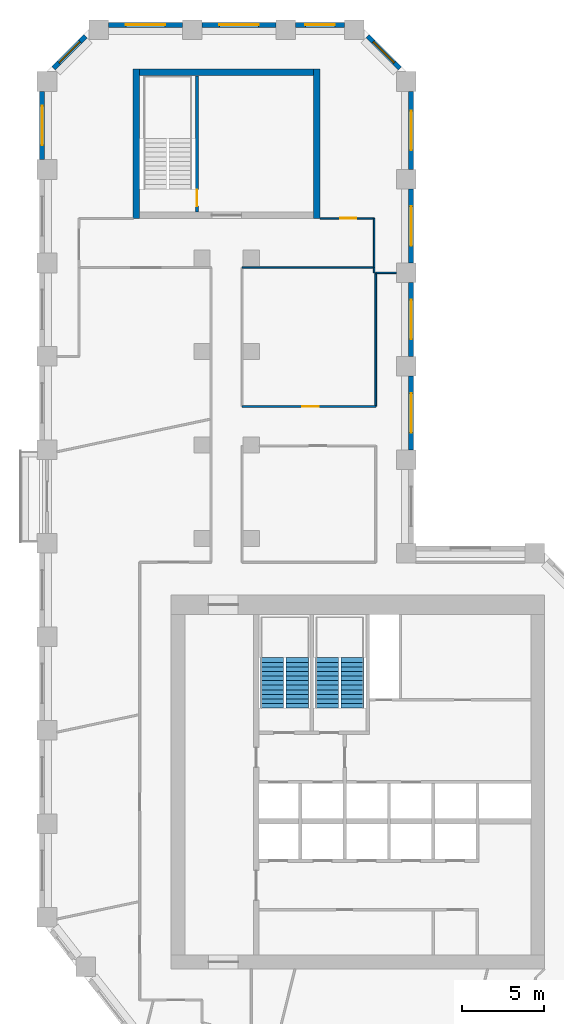
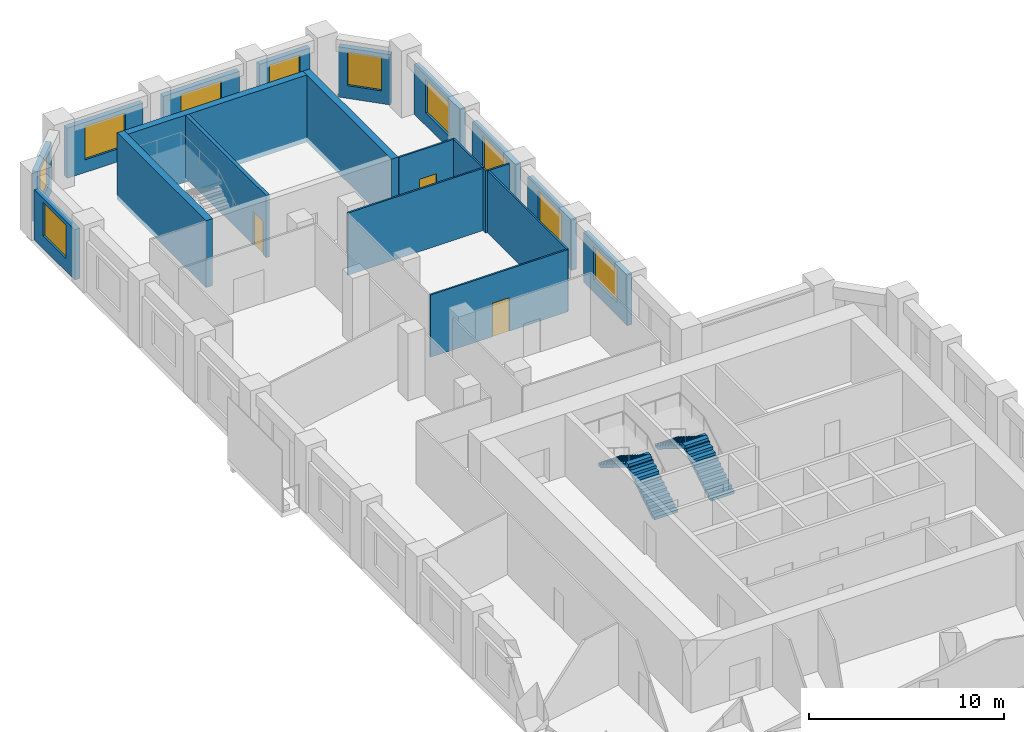
# One storey, part 8 of 10: 21 walls, 10 windows, 4 stair flights, 3 doors, 13 openings, 2 elements without a shape of their own.
"""IFC4 building model written with IfcOpenShell, lengths in metres."""

from ifc_helpers import new_model, si_unit, direction, frame, frame_2d, origin, place, context, subcontext, project, spatial, polyline, rectangle, outline, extrude, material, layer, layer_set, type_object, element, fill, aggregate, save


model = new_model("IFC4")

# Units and contexts
model_context = context("Model", 3, precision=1e-05, world=origin(), true_north=direction((0.0, 1.0)))
body_context = subcontext(model_context, "Body", "Model", "MODEL_VIEW")
ifc_project = project(units=[si_unit("LENGTHUNIT", "METRE"), si_unit("AREAUNIT", "SQUARE_METRE"), si_unit("VOLUMEUNIT", "CUBIC_METRE"), si_unit("PLANEANGLEUNIT", "RADIAN"), si_unit("MASSUNIT", "GRAM", prefix="KILO")], contexts=[model_context])

# Site, building, storey
site_placement = place(None, origin())
site = spatial("IfcSite", under=ifc_project, at=site_placement, CompositionType="ELEMENT")
building_placement = place(site_placement, origin())
building = spatial("IfcBuilding", under=site, at=building_placement, Name="Meshkara Civic Tower", CompositionType="ELEMENT")
storey_placement = place(building_placement, frame((0.0, 0.0, 174.0)))
storey = spatial("IfcBuildingStorey", under=building, at=storey_placement, Name="L39", CompositionType="ELEMENT", Elevation=174.0)

# Walls
ifc_material_1 = material(Name="Corridor wall 100")
ifc_layer_1 = layer(ifc_material_1, 0.10009765625)
ifc_layer_set_1 = layer_set([ifc_layer_1], Name="Corridor wall 100")
wall_type_1 = type_object("IfcWallType", Name="Corridor wall 100", PredefinedType="PARTITIONING", material=ifc_layer_set_1)
wall_1_placement = place(storey_placement, frame((12.35009765625, 56.8701171875, 0.0), z_axis=(0.0, 0.0, 1.0), x_axis=(1.0, 0.0, 0.0)))
element("IfcWall", 1, at=wall_1_placement, inside=storey, type_object=wall_type_1, Name="L39-W015", PredefinedType="PARTITIONING", context=body_context, shape_type="SweptSolid", body=[
    extrude(rectangle(XDim=8.0498046875, YDim=0.10009765625, at=frame_2d((4.02490234375, 0.0))), origin(), (0.0, 0.0, 1.0), 3.89990234375),
])
wall_2_placement = place(storey_placement, frame((20.39990234375, 56.8701171875, 0.0), z_axis=(0.0, 0.0, 1.0), x_axis=(0.0, 1.0, 0.0)))
element("IfcWall", 2, at=wall_2_placement, inside=storey, type_object=wall_type_1, Name="L39-W018", PredefinedType="PARTITIONING", context=body_context, shape_type="SweptSolid", body=[
    extrude(rectangle(XDim=3.0, YDim=0.10009765625, at=frame_2d((1.5, 0.0))), origin(), (0.0, 0.0, 1.0), 3.89990234375),
])

# Wall, opening, door
wall_3_placement = place(storey_placement, frame((20.39990234375, 59.8701171875, 0.0), z_axis=(0.0, 0.0, 1.0), x_axis=(-1.0, 0.0, 0.0)))
wall_3 = element("IfcWall", 3, at=wall_3_placement, inside=storey, type_object=wall_type_1, Name="L39-W019", PredefinedType="PARTITIONING", context=body_context, shape_type="SweptSolid", body=[
    extrude(rectangle(XDim=3.2998046875, YDim=0.10009765625, at=frame_2d((1.64990234375, 0.0))), origin(), (0.0, 0.0, 1.0), 3.89990234375),
])
opening_1_placement = place(wall_3_placement, frame((1.080078125, 0.0, 0.0)))
opening_1 = element("IfcOpeningElement", 4, at=opening_1_placement, cuts=wall_3, Name="Opening L39-D022", PredefinedType="OPENING", context=body_context, shape_type="SweptSolid", body=[
    extrude(rectangle(XDim=1.0, YDim=2.10009765625, at=frame_2d((0.5, 1.050048828125))), frame((0.0, 0.06005859375, 0.0), z_axis=(0.0, -1.0, 0.0), x_axis=(1.0, 0.0, 0.0)), (0.0, 0.0, 1.0), 0.1201171875),
])
ifc_material_2 = material(Name="Door 1000 x 2100")
door_type_1 = type_object("IfcDoorType", Name="Door 1000 x 2100", OperationType="SINGLE_SWING_LEFT", PredefinedType="DOOR", material=ifc_material_2)
door_1_placement = place(opening_1_placement, origin())
door_1 = element("IfcDoor", 5, at=door_1_placement, inside=storey, type_object=door_type_1, Name="L39-D022", OperationType="SINGLE_SWING_RIGHT", OverallHeight=2.10009765625, OverallWidth=1.0, PredefinedType="DOOR", context=body_context, shape_type="SweptSolid", body=[
    extrude(rectangle(XDim=1.0, YDim=2.10009765625, at=frame_2d((0.5, 1.050048828125))), frame((0.0, 0.02490234375, 0.0), z_axis=(0.0, -1.0, 0.0), x_axis=(1.0, 0.0, 0.0)), (0.0, 0.0, 1.0), 0.050048828125),
])
fill(opening_1, door_1)

wall_4_placement = place(storey_placement, frame((20.5, 48.39990234375, 0.0), z_axis=(0.0, 0.0, 1.0), x_axis=(-1.0, 0.0, 0.0)))
wall_4 = element("IfcWall", 6, at=wall_4_placement, inside=storey, type_object=wall_type_1, Name="L39-W022", PredefinedType="PARTITIONING", context=body_context, shape_type="SweptSolid", body=[
    extrude(rectangle(XDim=8.14990234375, YDim=0.10009765625, at=frame_2d((4.074951171875, 0.0))), origin(), (0.0, 0.0, 1.0), 3.89990234375),
])
opening_2_placement = place(wall_4_placement, frame((3.47998046875, 0.0, 0.0)))
opening_2 = element("IfcOpeningElement", 7, at=opening_2_placement, cuts=wall_4, Name="Opening L39-D019", PredefinedType="OPENING", context=body_context, shape_type="SweptSolid", body=[
    extrude(rectangle(XDim=1.0, YDim=2.10009765625, at=frame_2d((0.5, 1.050048828125))), frame((0.0, 0.06005859375, 0.0), z_axis=(0.0, -1.0, 0.0), x_axis=(1.0, 0.0, 0.0)), (0.0, 0.0, 1.0), 0.1201171875),
])
door_2_placement = place(opening_2_placement, origin())
door_2 = element("IfcDoor", 8, at=door_2_placement, inside=storey, type_object=door_type_1, Name="L39-D019", OperationType="SINGLE_SWING_RIGHT", OverallHeight=2.10009765625, OverallWidth=1.0, PredefinedType="DOOR", context=body_context, shape_type="SweptSolid", body=[
    extrude(rectangle(XDim=1.0, YDim=2.10009765625, at=frame_2d((0.5, 1.050048828125))), frame((0.0, 0.02490234375, 0.0), z_axis=(0.0, -1.0, 0.0), x_axis=(1.0, 0.0, 0.0)), (0.0, 0.0, 1.0), 0.050048828125),
])
fill(opening_2, door_2)

# Walls
wall_5_placement = place(storey_placement, frame((20.5, 56.550048828125, 0.0), z_axis=(0.0, 0.0, 1.0), x_axis=(0.0, -1.0, 0.0)))
element("IfcWall", 9, at=wall_5_placement, inside=storey, type_object=wall_type_1, Name="L39-W023", PredefinedType="PARTITIONING", context=body_context, shape_type="SweptSolid", body=[
    extrude(rectangle(XDim=8.150146484375, YDim=0.10009765625, at=frame_2d((4.0751953125, 0.0))), origin(), (0.0, 0.0, 1.0), 3.89990234375),
])
wall_6_placement = place(storey_placement, frame((21.75, 56.550048828125, 0.0), z_axis=(0.0, 0.0, 1.0), x_axis=(-1.0, 0.0, 0.0)))
element("IfcWall", 10, at=wall_6_placement, inside=storey, type_object=wall_type_1, Name="L39-W024", PredefinedType="PARTITIONING", context=body_context, shape_type="SweptSolid", body=[
    extrude(rectangle(XDim=1.25, YDim=0.10009765625, at=frame_2d((0.625, 0.0))), origin(), (0.0, 0.0, 1.0), 3.89990234375),
])

# Wall, opening, window
ifc_material_3 = material(Name="Insulated infill panel with bronze anodised aluminium cladding", Category="aluminium")
ifc_layer_2 = layer(ifc_material_3, 0.300048828125)
ifc_layer_set_2 = layer_set([ifc_layer_2], Name="EXTERNAL INFILL WALL 300")
wall_type_2 = type_object("IfcWallType", Name="EXTERNAL INFILL WALL 300", PredefinedType="SOLIDWALL", material=ifc_layer_set_2)
wall_7_placement = place(storey_placement, frame((22.64990234375, 45.75, 0.0), z_axis=(0.0, 0.0, 1.0), x_axis=(0.0, 1.0, 0.0)))
wall_7 = element("IfcWall", 11, at=wall_7_placement, inside=storey, type_object=wall_type_2, Name="External wall", PredefinedType="SOLIDWALL", context=body_context, shape_type="SweptSolid", body=[
    extrude(rectangle(XDim=4.5, YDim=0.300048828125, at=frame_2d((2.25, 0.0))), origin(), (0.0, 0.0, 1.0), 3.14990234375),
])
opening_3_placement = place(wall_7_placement, frame((1.050048828125, 0.0, 0.800048828125)))
opening_3 = element("IfcOpeningElement", 12, at=opening_3_placement, cuts=wall_7, Name="Opening W7", PredefinedType="OPENING", context=body_context, shape_type="SweptSolid", body=[
    extrude(rectangle(XDim=2.39990234375, YDim=2.10009765625, at=frame_2d((1.199951171875, 1.050048828125))), frame((0.0, 0.159912109375, 0.0), z_axis=(0.0, -1.0, 0.0), x_axis=(1.0, 0.0, 0.0)), (0.0, 0.0, 1.0), 0.320068359375),
])
ifc_material_4 = material(Name="Tinted double glazing", Category="glass")
window_type_1 = type_object("IfcWindowType", Name="WINDOW 2400x2100", PartitioningType="DOUBLE_PANEL_VERTICAL", PredefinedType="WINDOW", material=ifc_material_4)
window_1_placement = place(opening_3_placement, origin())
window_1 = element("IfcWindow", 13, at=window_1_placement, inside=storey, type_object=window_type_1, Name="Window", OverallHeight=2.10009765625, OverallWidth=2.39990234375, PartitioningType="DOUBLE_PANEL_VERTICAL", PredefinedType="WINDOW", context=body_context, shape_type="SweptSolid", body=[
    extrude(rectangle(XDim=2.39990234375, YDim=2.10009765625, at=frame_2d((1.199951171875, 1.050048828125))), frame((0.0, 0.030029296875, 0.0), z_axis=(0.0, -1.0, 0.0), x_axis=(1.0, 0.0, 0.0)), (0.0, 0.0, 1.0), 0.06005859375),
])
fill(opening_3, window_1)

wall_8_placement = place(storey_placement, frame((22.64990234375, 51.449951171875, 0.0), z_axis=(0.0, 0.0, 1.0), x_axis=(0.0, 1.0, 0.0)))
wall_8 = element("IfcWall", 14, at=wall_8_placement, inside=storey, type_object=wall_type_2, Name="External wall", PredefinedType="SOLIDWALL", context=body_context, shape_type="SweptSolid", body=[
    extrude(rectangle(XDim=4.5, YDim=0.300048828125, at=frame_2d((2.25, 0.0))), origin(), (0.0, 0.0, 1.0), 3.14990234375),
])
opening_4_placement = place(wall_8_placement, frame((1.050048828125, 0.0, 0.800048828125)))
opening_4 = element("IfcOpeningElement", 15, at=opening_4_placement, cuts=wall_8, Name="Opening W7", PredefinedType="OPENING", context=body_context, shape_type="SweptSolid", body=[
    extrude(rectangle(XDim=2.39990234375, YDim=2.10009765625, at=frame_2d((1.199951171875, 1.050048828125))), frame((0.0, 0.159912109375, 0.0), z_axis=(0.0, -1.0, 0.0), x_axis=(1.0, 0.0, 0.0)), (0.0, 0.0, 1.0), 0.320068359375),
])
window_2_placement = place(opening_4_placement, origin())
window_2 = element("IfcWindow", 16, at=window_2_placement, inside=storey, type_object=window_type_1, Name="Window", OverallHeight=2.10009765625, OverallWidth=2.39990234375, PartitioningType="DOUBLE_PANEL_VERTICAL", PredefinedType="WINDOW", context=body_context, shape_type="SweptSolid", body=[
    extrude(rectangle(XDim=2.39990234375, YDim=2.10009765625, at=frame_2d((1.199951171875, 1.050048828125))), frame((0.0, 0.030029296875, 0.0), z_axis=(0.0, -1.0, 0.0), x_axis=(1.0, 0.0, 0.0)), (0.0, 0.0, 1.0), 0.06005859375),
])
fill(opening_4, window_2)

wall_9_placement = place(storey_placement, frame((22.64990234375, 57.14990234375, 0.0), z_axis=(0.0, 0.0, 1.0), x_axis=(0.0, 1.0, 0.0)))
wall_9 = element("IfcWall", 17, at=wall_9_placement, inside=storey, type_object=wall_type_2, Name="External wall", PredefinedType="SOLIDWALL", context=body_context, shape_type="SweptSolid", body=[
    extrude(rectangle(XDim=4.5, YDim=0.300048828125, at=frame_2d((2.25, 0.0))), origin(), (0.0, 0.0, 1.0), 3.14990234375),
])
opening_5_placement = place(wall_9_placement, frame((1.050048828125, 0.0, 0.800048828125)))
opening_5 = element("IfcOpeningElement", 18, at=opening_5_placement, cuts=wall_9, Name="Opening W7", PredefinedType="OPENING", context=body_context, shape_type="SweptSolid", body=[
    extrude(rectangle(XDim=2.39990234375, YDim=2.10009765625, at=frame_2d((1.199951171875, 1.050048828125))), frame((0.0, 0.159912109375, 0.0), z_axis=(0.0, -1.0, 0.0), x_axis=(1.0, 0.0, 0.0)), (0.0, 0.0, 1.0), 0.320068359375),
])
window_3_placement = place(opening_5_placement, origin())
window_3 = element("IfcWindow", 19, at=window_3_placement, inside=storey, type_object=window_type_1, Name="Window", OverallHeight=2.10009765625, OverallWidth=2.39990234375, PartitioningType="DOUBLE_PANEL_VERTICAL", PredefinedType="WINDOW", context=body_context, shape_type="SweptSolid", body=[
    extrude(rectangle(XDim=2.39990234375, YDim=2.10009765625, at=frame_2d((1.199951171875, 1.050048828125))), frame((0.0, 0.030029296875, 0.0), z_axis=(0.0, -1.0, 0.0), x_axis=(1.0, 0.0, 0.0)), (0.0, 0.0, 1.0), 0.06005859375),
])
fill(opening_5, window_3)

wall_10_placement = place(storey_placement, frame((22.64990234375, 62.85009765625, 0.0), z_axis=(0.0, 0.0, 1.0), x_axis=(0.0, 1.0, 0.0)))
wall_10 = element("IfcWall", 20, at=wall_10_placement, inside=storey, type_object=wall_type_2, Name="External wall", PredefinedType="SOLIDWALL", context=body_context, shape_type="SweptSolid", body=[
    extrude(rectangle(XDim=4.763916015625, YDim=0.300048828125, at=frame_2d((2.3818359375, 0.0))), origin(), (0.0, 0.0, 1.0), 3.14990234375),
])
opening_6_placement = place(wall_10_placement, frame((1.181884765625, 0.0, 0.800048828125)))
opening_6 = element("IfcOpeningElement", 21, at=opening_6_placement, cuts=wall_10, Name="Opening W7", PredefinedType="OPENING", context=body_context, shape_type="SweptSolid", body=[
    extrude(rectangle(XDim=2.39990234375, YDim=2.10009765625, at=frame_2d((1.199951171875, 1.050048828125))), frame((0.0, 0.159912109375, 0.0), z_axis=(0.0, -1.0, 0.0), x_axis=(1.0, 0.0, 0.0)), (0.0, 0.0, 1.0), 0.320068359375),
])
window_4_placement = place(opening_6_placement, origin())
window_4 = element("IfcWindow", 22, at=window_4_placement, inside=storey, type_object=window_type_1, Name="Window", OverallHeight=2.10009765625, OverallWidth=2.39990234375, PartitioningType="DOUBLE_PANEL_VERTICAL", PredefinedType="WINDOW", context=body_context, shape_type="SweptSolid", body=[
    extrude(rectangle(XDim=2.39990234375, YDim=2.10009765625, at=frame_2d((1.199951171875, 1.050048828125))), frame((0.0, 0.030029296875, 0.0), z_axis=(0.0, -1.0, 0.0), x_axis=(1.0, 0.0, 0.0)), (0.0, 0.0, 1.0), 0.06005859375),
])
fill(opening_6, window_4)

wall_11_placement = place(storey_placement, frame((21.9619140625, 69.02587890625, 0.0), z_axis=(0.0, 0.0, 1.0), x_axis=(-0.707062649074, 0.707150910545, 0.0)))
wall_11 = element("IfcWall", 23, at=wall_11_placement, inside=storey, type_object=wall_type_2, Name="External wall", PredefinedType="SOLIDWALL", context=body_context, shape_type="SweptSolid", body=[
    extrude(rectangle(XDim=2.76611328125, YDim=0.300048828125, at=frame_2d((1.383056640625, 0.0))), origin(), (0.0, 0.0, 1.0), 3.14990234375),
])
opening_7_placement = place(wall_11_placement, frame((0.48291015625, 0.0, 0.800048828125)))
opening_7 = element("IfcOpeningElement", 24, at=opening_7_placement, cuts=wall_11, Name="Opening W9", PredefinedType="OPENING", context=body_context, shape_type="SweptSolid", body=[
    extrude(rectangle(XDim=1.800048828125, YDim=2.10009765625, at=frame_2d((0.89990234375, 1.050048828125))), frame((0.0, 0.159912109375, 0.0), z_axis=(0.0, -1.0, 0.0), x_axis=(1.0, 0.0, 0.0)), (0.0, 0.0, 1.0), 0.320068359375),
])
ifc_material_5 = material(Name="Tinted double glazing", Category="glass")
window_type_2 = type_object("IfcWindowType", Name="WINDOW 1800x2100", PartitioningType="DOUBLE_PANEL_VERTICAL", PredefinedType="WINDOW", material=ifc_material_5)
window_5_placement = place(opening_7_placement, origin())
window_5 = element("IfcWindow", 25, at=window_5_placement, inside=storey, type_object=window_type_2, Name="Window", OverallHeight=2.10009765625, OverallWidth=1.800048828125, PartitioningType="DOUBLE_PANEL_VERTICAL", PredefinedType="WINDOW", context=body_context, shape_type="SweptSolid", body=[
    extrude(rectangle(XDim=1.800048828125, YDim=2.10009765625, at=frame_2d((0.89990234375, 1.050048828125))), frame((0.0, 0.030029296875, 0.0), z_axis=(0.0, -1.0, 0.0), x_axis=(1.0, 0.0, 0.0)), (0.0, 0.0, 1.0), 0.06005859375),
])
fill(opening_7, window_5)

wall_12_placement = place(storey_placement, frame((18.593994140625, 71.669921875, 0.0), z_axis=(0.0, 0.0, 1.0), x_axis=(-1.0, 0.0, 0.0)))
wall_12 = element("IfcWall", 26, at=wall_12_placement, inside=storey, type_object=wall_type_2, Name="External wall", PredefinedType="SOLIDWALL", context=body_context, shape_type="SweptSolid", body=[
    extrude(rectangle(XDim=2.988037109375, YDim=0.300048828125, at=frame_2d((1.494140625, 0.0))), origin(), (0.0, 0.0, 1.0), 3.14990234375),
])
opening_8_placement = place(wall_12_placement, frame((0.593994140625, 0.0, 0.800048828125)))
opening_8 = element("IfcOpeningElement", 27, at=opening_8_placement, cuts=wall_12, Name="Opening W9", PredefinedType="OPENING", context=body_context, shape_type="SweptSolid", body=[
    extrude(rectangle(XDim=1.800048828125, YDim=2.10009765625, at=frame_2d((0.89990234375, 1.050048828125))), frame((0.0, 0.159912109375, 0.0), z_axis=(0.0, -1.0, 0.0), x_axis=(1.0, 0.0, 0.0)), (0.0, 0.0, 1.0), 0.320068359375),
])
window_6_placement = place(opening_8_placement, origin())
window_6 = element("IfcWindow", 28, at=window_6_placement, inside=storey, type_object=window_type_2, Name="Window", OverallHeight=2.10009765625, OverallWidth=1.800048828125, PartitioningType="DOUBLE_PANEL_VERTICAL", PredefinedType="WINDOW", context=body_context, shape_type="SweptSolid", body=[
    extrude(rectangle(XDim=1.800048828125, YDim=2.10009765625, at=frame_2d((0.89990234375, 1.050048828125))), frame((0.0, 0.030029296875, 0.0), z_axis=(0.0, -1.0, 0.0), x_axis=(1.0, 0.0, 0.0)), (0.0, 0.0, 1.0), 0.06005859375),
])
fill(opening_8, window_6)

wall_13_placement = place(storey_placement, frame((14.406005859375, 71.669921875, 0.0), z_axis=(0.0, 0.0, 1.0), x_axis=(-1.0, 0.0, 0.0)))
wall_13 = element("IfcWall", 29, at=wall_13_placement, inside=storey, type_object=wall_type_2, Name="External wall", PredefinedType="SOLIDWALL", context=body_context, shape_type="SweptSolid", body=[
    extrude(rectangle(XDim=4.5, YDim=0.300048828125, at=frame_2d((2.25, 0.0))), origin(), (0.0, 0.0, 1.0), 3.14990234375),
])
opening_9_placement = place(wall_13_placement, frame((1.050048828125, 0.0, 0.800048828125)))
opening_9 = element("IfcOpeningElement", 30, at=opening_9_placement, cuts=wall_13, Name="Opening W7", PredefinedType="OPENING", context=body_context, shape_type="SweptSolid", body=[
    extrude(rectangle(XDim=2.39990234375, YDim=2.10009765625, at=frame_2d((1.199951171875, 1.050048828125))), frame((0.0, 0.159912109375, 0.0), z_axis=(0.0, -1.0, 0.0), x_axis=(1.0, 0.0, 0.0)), (0.0, 0.0, 1.0), 0.320068359375),
])
window_7_placement = place(opening_9_placement, origin())
window_7 = element("IfcWindow", 31, at=window_7_placement, inside=storey, type_object=window_type_1, Name="Window", OverallHeight=2.10009765625, OverallWidth=2.39990234375, PartitioningType="DOUBLE_PANEL_VERTICAL", PredefinedType="WINDOW", context=body_context, shape_type="SweptSolid", body=[
    extrude(rectangle(XDim=2.39990234375, YDim=2.10009765625, at=frame_2d((1.199951171875, 1.050048828125))), frame((0.0, 0.030029296875, 0.0), z_axis=(0.0, -1.0, 0.0), x_axis=(1.0, 0.0, 0.0)), (0.0, 0.0, 1.0), 0.06005859375),
])
fill(opening_9, window_7)

wall_14_placement = place(storey_placement, frame((8.7060546875, 71.669921875, 0.0), z_axis=(0.0, 0.0, 1.0), x_axis=(-1.0, 0.0, 0.0)))
wall_14 = element("IfcWall", 32, at=wall_14_placement, inside=storey, type_object=wall_type_2, Name="External wall", PredefinedType="SOLIDWALL", context=body_context, shape_type="SweptSolid", body=[
    extrude(rectangle(XDim=4.5, YDim=0.300048828125, at=frame_2d((2.25, 0.0))), origin(), (0.0, 0.0, 1.0), 3.14990234375),
])
opening_10_placement = place(wall_14_placement, frame((1.050048828125, 0.0, 0.800048828125)))
opening_10 = element("IfcOpeningElement", 33, at=opening_10_placement, cuts=wall_14, Name="Opening W7", PredefinedType="OPENING", context=body_context, shape_type="SweptSolid", body=[
    extrude(rectangle(XDim=2.39990234375, YDim=2.10009765625, at=frame_2d((1.199951171875, 1.050048828125))), frame((0.0, 0.159912109375, 0.0), z_axis=(0.0, -1.0, 0.0), x_axis=(1.0, 0.0, 0.0)), (0.0, 0.0, 1.0), 0.320068359375),
])
window_8_placement = place(opening_10_placement, origin())
window_8 = element("IfcWindow", 34, at=window_8_placement, inside=storey, type_object=window_type_1, Name="Window", OverallHeight=2.10009765625, OverallWidth=2.39990234375, PartitioningType="DOUBLE_PANEL_VERTICAL", PredefinedType="WINDOW", context=body_context, shape_type="SweptSolid", body=[
    extrude(rectangle(XDim=2.39990234375, YDim=2.10009765625, at=frame_2d((1.199951171875, 1.050048828125))), frame((0.0, 0.030029296875, 0.0), z_axis=(0.0, -1.0, 0.0), x_axis=(1.0, 0.0, 0.0)), (0.0, 0.0, 1.0), 0.06005859375),
])
fill(opening_10, window_8)

wall_15_placement = place(storey_placement, frame((2.7939453125, 70.98193359375, 0.0), z_axis=(0.0, 0.0, 1.0), x_axis=(-0.707106781187, -0.707106781187, 0.0)))
wall_15 = element("IfcWall", 35, at=wall_15_placement, inside=storey, type_object=wall_type_2, Name="External wall", PredefinedType="SOLIDWALL", context=body_context, shape_type="SweptSolid", body=[
    extrude(rectangle(XDim=2.766357421875, YDim=0.300048828125, at=frame_2d((1.38330078125, 0.0))), origin(), (0.0, 0.0, 1.0), 3.14990234375),
])
opening_11_placement = place(wall_15_placement, frame((0.48291015625, 0.0, 0.800048828125)))
opening_11 = element("IfcOpeningElement", 36, at=opening_11_placement, cuts=wall_15, Name="Opening W9", PredefinedType="OPENING", context=body_context, shape_type="SweptSolid", body=[
    extrude(rectangle(XDim=1.800048828125, YDim=2.10009765625, at=frame_2d((0.89990234375, 1.050048828125))), frame((0.0, 0.159912109375, 0.0), z_axis=(0.0, -1.0, 0.0), x_axis=(1.0, 0.0, 0.0)), (0.0, 0.0, 1.0), 0.320068359375),
])
window_9_placement = place(opening_11_placement, origin())
window_9 = element("IfcWindow", 37, at=window_9_placement, inside=storey, type_object=window_type_2, Name="Window", OverallHeight=2.10009765625, OverallWidth=1.800048828125, PartitioningType="DOUBLE_PANEL_VERTICAL", PredefinedType="WINDOW", context=body_context, shape_type="SweptSolid", body=[
    extrude(rectangle(XDim=1.800048828125, YDim=2.10009765625, at=frame_2d((0.89990234375, 1.050048828125))), frame((0.0, 0.030029296875, 0.0), z_axis=(0.0, -1.0, 0.0), x_axis=(1.0, 0.0, 0.0)), (0.0, 0.0, 1.0), 0.06005859375),
])
fill(opening_11, window_9)

wall_16_placement = place(storey_placement, frame((0.14990234375, 67.614013671875, 0.0), z_axis=(0.0, 0.0, 1.0), x_axis=(0.0, -1.0, 0.0)))
wall_16 = element("IfcWall", 38, at=wall_16_placement, inside=storey, type_object=wall_type_2, Name="External wall", PredefinedType="SOLIDWALL", context=body_context, shape_type="SweptSolid", body=[
    extrude(rectangle(XDim=4.158935546875, YDim=0.300048828125, at=frame_2d((2.07958984375, 0.0))), origin(), (0.0, 0.0, 1.0), 3.14990234375),
])
opening_12_placement = place(wall_16_placement, frame((0.8798828125, 0.0, 0.800048828125)))
opening_12 = element("IfcOpeningElement", 39, at=opening_12_placement, cuts=wall_16, Name="Opening W7", PredefinedType="OPENING", context=body_context, shape_type="SweptSolid", body=[
    extrude(rectangle(XDim=2.39990234375, YDim=2.10009765625, at=frame_2d((1.199951171875, 1.050048828125))), frame((0.0, 0.159912109375, 0.0), z_axis=(0.0, -1.0, 0.0), x_axis=(1.0, 0.0, 0.0)), (0.0, 0.0, 1.0), 0.320068359375),
])
window_10_placement = place(opening_12_placement, origin())
window_10 = element("IfcWindow", 40, at=window_10_placement, inside=storey, type_object=window_type_1, Name="Window", OverallHeight=2.10009765625, OverallWidth=2.39990234375, PartitioningType="DOUBLE_PANEL_VERTICAL", PredefinedType="WINDOW", context=body_context, shape_type="SweptSolid", body=[
    extrude(rectangle(XDim=2.39990234375, YDim=2.10009765625, at=frame_2d((1.199951171875, 1.050048828125))), frame((0.0, 0.030029296875, 0.0), z_axis=(0.0, -1.0, 0.0), x_axis=(1.0, 0.0, 0.0)), (0.0, 0.0, 1.0), 0.06005859375),
])
fill(opening_12, window_10)

# Walls
ifc_material_6 = material(Name="Concrete C70", Category="concrete")
ifc_layer_3 = layer(ifc_material_6, 0.39990234375)
ifc_layer_set_3 = layer_set([ifc_layer_3], Name="End core ring wall 400 C70")
wall_type_3 = type_object("IfcWallType", Name="End core ring wall 400 C70", PredefinedType="SHEAR", material=ifc_layer_set_3)
for number, where, z_axis, x_axis, name in (
    (41, (5.89990234375, 59.8701171875, -0.300048828125), (0.0, 0.0, 1.0), (0.0, 1.0, 0.0), "L39-C022"),
    (42, (16.89990234375, 59.8701171875, -0.300048828125), (0.0, 0.0, 1.0), (0.0, 1.0, 0.0), "L39-C023"),
):
    element("IfcWall", number, at=place(storey_placement, frame(where, z_axis=z_axis, x_axis=x_axis)), inside=storey, type_object=wall_type_3, Name=name, PredefinedType="SHEAR", context=body_context, shape_type="SweptSolid", body=[
        extrude(rectangle(XDim=9.099853515625, YDim=0.39990234375, at=frame_2d((4.5498046875, 0.0))), origin(), (0.0, 0.0, 1.0), 4.199951171875),
    ])
wall_17_placement = place(storey_placement, frame((6.10009765625, 68.77001953125, -0.300048828125), z_axis=(0.0, 0.0, 1.0), x_axis=(1.0, 0.0, 0.0)))
element("IfcWall", 43, at=wall_17_placement, inside=storey, type_object=wall_type_3, Name="L39-C025", PredefinedType="SHEAR", context=body_context, shape_type="SweptSolid", body=[
    extrude(rectangle(XDim=10.599853515625, YDim=0.39990234375, at=frame_2d((5.2998046875, 0.0))), origin(), (0.0, 0.0, 1.0), 4.199951171875),
])
ifc_material_7 = material(Name="Partition 100")
ifc_layer_4 = layer(ifc_material_7, 0.10009765625)
ifc_layer_set_4 = layer_set([ifc_layer_4], Name="Partition 100")
wall_type_4 = type_object("IfcWallType", Name="Partition 100", PredefinedType="PARTITIONING", material=ifc_layer_set_4)
wall_18_placement = place(storey_placement, frame((20.39990234375, 56.550048828125, 0.0), z_axis=(0.0, 0.0, 1.0), x_axis=(0.0, 1.0, 0.0)))
element("IfcWall", 44, at=wall_18_placement, inside=storey, type_object=wall_type_4, Name="L39-W052", PredefinedType="PARTITIONING", context=body_context, shape_type="SweptSolid", body=[
    extrude(rectangle(XDim=0.323974609375, YDim=0.10009765625, at=frame_2d((0.162109375, 0.0))), origin(), (0.0, 0.0, 1.0), 3.89990234375),
])

# Wall, opening, door
ifc_material_8 = material(Name="Concrete C40/50", Category="concrete")
ifc_layer_5 = layer(ifc_material_8, 0.199951171875)
ifc_layer_set_5 = layer_set([ifc_layer_5], Name="Stair enclosure wall 200 C40/50")
wall_type_5 = type_object("IfcWallType", Name="Stair enclosure wall 200 C40/50", PredefinedType="SOLIDWALL", material=ifc_layer_set_5)
wall_19_placement = place(storey_placement, frame((9.60009765625, 60.27001953125, 0.0), z_axis=(0.0, 0.0, 1.0), x_axis=(0.0, 1.0, 0.0)))
wall_19 = element("IfcWall", 45, at=wall_19_placement, inside=storey, type_object=wall_type_5, Name="L39-C026", PredefinedType="SOLIDWALL", context=body_context, shape_type="SweptSolid", body=[
    extrude(rectangle(XDim=8.300048828125, YDim=0.199951171875, at=frame_2d((4.14990234375, 0.0))), origin(), (0.0, 0.0, 1.0), 3.89990234375),
])
opening_13_placement = place(wall_19_placement, frame((0.35009765625, 0.0, 0.0)))
opening_13 = element("IfcOpeningElement", 46, at=opening_13_placement, cuts=wall_19, Name="Opening L39-K101", PredefinedType="OPENING", context=body_context, shape_type="SweptSolid", body=[
    extrude(rectangle(XDim=1.0, YDim=2.10009765625, at=frame_2d((0.5, 1.050048828125))), frame((0.0, 0.10986328125, 0.0), z_axis=(0.0, -1.0, 0.0), x_axis=(1.0, 0.0, 0.0)), (0.0, 0.0, 1.0), 0.219970703125),
])
ifc_material_9 = material(Name="Fire-rated door leaf in steel frame", Category="steel")
door_type_2 = type_object("IfcDoorType", Name="Stair door 1000 EI 120", OperationType="SINGLE_SWING_LEFT", PredefinedType="DOOR", material=ifc_material_9)
door_3_placement = place(opening_13_placement, origin())
door_3 = element("IfcDoor", 47, at=door_3_placement, inside=storey, type_object=door_type_2, Name="L39-K101", OperationType="SINGLE_SWING_RIGHT", OverallHeight=2.10009765625, OverallWidth=1.0, PredefinedType="DOOR", context=body_context, shape_type="SweptSolid", body=[
    extrude(rectangle(XDim=1.0, YDim=2.10009765625, at=frame_2d((0.5, 1.050048828125))), frame((0.0, 0.02490234375, 0.0), z_axis=(0.0, -1.0, 0.0), x_axis=(1.0, 0.0, 0.0)), (0.0, 0.0, 1.0), 0.050048828125),
])
fill(opening_13, door_3)

# Stair, stair flights
ifc_material_10 = material(Name="Precast concrete C40/50", Category="concrete")
stair_type = type_object("IfcStairType", Name="Exit stair half-turn 24 risers precast", PredefinedType="HALF_TURN_STAIR", material=ifc_material_10)
stair_1_placement = place(storey_placement, origin())
stair_1 = element("IfcStair", 48, at=stair_1_placement, inside=storey, type_object=stair_type, Name="L39 exit stair 1", PredefinedType="HALF_TURN_STAIR")
ifc_material_11 = material(Name="Precast concrete C40/50", Category="concrete")
stair_flight_type = type_object("IfcStairFlightType", Name="Exit stair flight 12 risers precast", PredefinedType="STRAIGHT", material=ifc_material_11)
stair_flight_1_placement = place(storey_placement, frame((15.72509765625, 30.0, 0.0), z_axis=(0.0, 0.0, 1.0), x_axis=(0.0, 1.0, 0.0)))
stair_flight_1 = element("IfcStairFlight", 49, at=stair_flight_1_placement, type_object=stair_flight_type, Name="ST1 flight 1", NumberOfRisers=12, NumberOfTreads=11, PredefinedType="STRAIGHT", RiserHeight=0.175, TreadLength=0.28, context=body_context, shape_type="SweptSolid", body=[
    extrude(outline(polyline([(0.0, 0.0), (0.0, 0.175048828125), (0.280029296875, 0.175048828125), (0.280029296875, 0.35009765625), (0.56005859375, 0.35009765625), (0.56005859375, 0.52490234375), (0.840087890625, 0.52490234375), (0.840087890625, 0.699951171875), (1.1201171875, 0.699951171875), (1.1201171875, 0.875), (1.39990234375, 0.875), (1.39990234375, 1.050048828125), (1.679931640625, 1.050048828125), (1.679931640625, 1.22509765625), (1.9599609375, 1.22509765625), (1.9599609375, 1.39990234375), (2.239990234375, 1.39990234375), (2.239990234375, 1.574951171875), (2.52001953125, 1.574951171875), (2.52001953125, 1.75), (2.800048828125, 1.75), (2.800048828125, 1.925048828125), (3.080078125, 1.925048828125), (3.080078125, 2.10009765625), (3.080078125, 1.748291015625), (0.28271484375, 0.0), (0.0, 0.0)])), frame((0.0, 0.699951171875, 0.0), z_axis=(0.0, -1.0, 0.0), x_axis=(1.0, 0.0, 0.0)), (0.0, 0.0, 1.0), 1.39990234375),
])
stair_flight_2_placement = place(storey_placement, frame((14.175048828125, 33.080078125, 2.10009765625), z_axis=(0.0, 0.0, 1.0), x_axis=(0.0, -1.0, 0.0)))
stair_flight_2 = element("IfcStairFlight", 50, at=stair_flight_2_placement, type_object=stair_flight_type, Name="ST1 flight 2", NumberOfRisers=12, NumberOfTreads=11, PredefinedType="STRAIGHT", RiserHeight=0.175, TreadLength=0.28, context=body_context, shape_type="SweptSolid", body=[
    extrude(outline(polyline([(0.0, 0.0), (0.0, 0.175048828125), (0.280029296875, 0.175048828125), (0.280029296875, 0.35009765625), (0.56005859375, 0.35009765625), (0.56005859375, 0.52490234375), (0.840087890625, 0.52490234375), (0.840087890625, 0.699951171875), (1.1201171875, 0.699951171875), (1.1201171875, 0.875), (1.39990234375, 0.875), (1.39990234375, 1.050048828125), (1.679931640625, 1.050048828125), (1.679931640625, 1.22509765625), (1.9599609375, 1.22509765625), (1.9599609375, 1.39990234375), (2.239990234375, 1.39990234375), (2.239990234375, 1.574951171875), (2.52001953125, 1.574951171875), (2.52001953125, 1.75), (2.800048828125, 1.75), (2.800048828125, 1.925048828125), (3.080078125, 1.925048828125), (3.080078125, 2.10009765625), (3.080078125, 1.748291015625), (0.28271484375, 0.0), (0.0, 0.0)])), frame((0.0, 0.699951171875, 0.0), z_axis=(0.0, -1.0, 0.0), x_axis=(1.0, 0.0, 0.0)), (0.0, 0.0, 1.0), 1.39990234375),
])
aggregate(stair_1, [stair_flight_1, stair_flight_2])

stair_2_placement = place(storey_placement, origin())
stair_2 = element("IfcStair", 51, at=stair_2_placement, inside=storey, type_object=stair_type, Name="L39 exit stair 2", PredefinedType="HALF_TURN_STAIR")
stair_flight_3_placement = place(storey_placement, frame((19.074951171875, 30.0, 0.0), z_axis=(0.0, 0.0, 1.0), x_axis=(0.0, 1.0, 0.0)))
stair_flight_3 = element("IfcStairFlight", 52, at=stair_flight_3_placement, type_object=stair_flight_type, Name="ST2 flight 1", NumberOfRisers=12, NumberOfTreads=11, PredefinedType="STRAIGHT", RiserHeight=0.175, TreadLength=0.28, context=body_context, shape_type="SweptSolid", body=[
    extrude(outline(polyline([(0.0, 0.0), (0.0, 0.175048828125), (0.280029296875, 0.175048828125), (0.280029296875, 0.35009765625), (0.56005859375, 0.35009765625), (0.56005859375, 0.52490234375), (0.840087890625, 0.52490234375), (0.840087890625, 0.699951171875), (1.1201171875, 0.699951171875), (1.1201171875, 0.875), (1.39990234375, 0.875), (1.39990234375, 1.050048828125), (1.679931640625, 1.050048828125), (1.679931640625, 1.22509765625), (1.9599609375, 1.22509765625), (1.9599609375, 1.39990234375), (2.239990234375, 1.39990234375), (2.239990234375, 1.574951171875), (2.52001953125, 1.574951171875), (2.52001953125, 1.75), (2.800048828125, 1.75), (2.800048828125, 1.925048828125), (3.080078125, 1.925048828125), (3.080078125, 2.10009765625), (3.080078125, 1.748291015625), (0.28271484375, 0.0), (0.0, 0.0)])), frame((0.0, 0.699951171875, 0.0), z_axis=(0.0, -1.0, 0.0), x_axis=(1.0, 0.0, 0.0)), (0.0, 0.0, 1.0), 1.39990234375),
])
stair_flight_4_placement = place(storey_placement, frame((17.52490234375, 33.080078125, 2.10009765625), z_axis=(0.0, 0.0, 1.0), x_axis=(0.0, -1.0, 0.0)))
stair_flight_4 = element("IfcStairFlight", 53, at=stair_flight_4_placement, type_object=stair_flight_type, Name="ST2 flight 2", NumberOfRisers=12, NumberOfTreads=11, PredefinedType="STRAIGHT", RiserHeight=0.175, TreadLength=0.28, context=body_context, shape_type="SweptSolid", body=[
    extrude(outline(polyline([(0.0, 0.0), (0.0, 0.175048828125), (0.280029296875, 0.175048828125), (0.280029296875, 0.35009765625), (0.56005859375, 0.35009765625), (0.56005859375, 0.52490234375), (0.840087890625, 0.52490234375), (0.840087890625, 0.699951171875), (1.1201171875, 0.699951171875), (1.1201171875, 0.875), (1.39990234375, 0.875), (1.39990234375, 1.050048828125), (1.679931640625, 1.050048828125), (1.679931640625, 1.22509765625), (1.9599609375, 1.22509765625), (1.9599609375, 1.39990234375), (2.239990234375, 1.39990234375), (2.239990234375, 1.574951171875), (2.52001953125, 1.574951171875), (2.52001953125, 1.75), (2.800048828125, 1.75), (2.800048828125, 1.925048828125), (3.080078125, 1.925048828125), (3.080078125, 2.10009765625), (3.080078125, 1.748291015625), (0.28271484375, 0.0), (0.0, 0.0)])), frame((0.0, 0.699951171875, 0.0), z_axis=(0.0, -1.0, 0.0), x_axis=(1.0, 0.0, 0.0)), (0.0, 0.0, 1.0), 1.39990234375),
])
aggregate(stair_2, [stair_flight_3, stair_flight_4])

save(model, "model.ifc")
